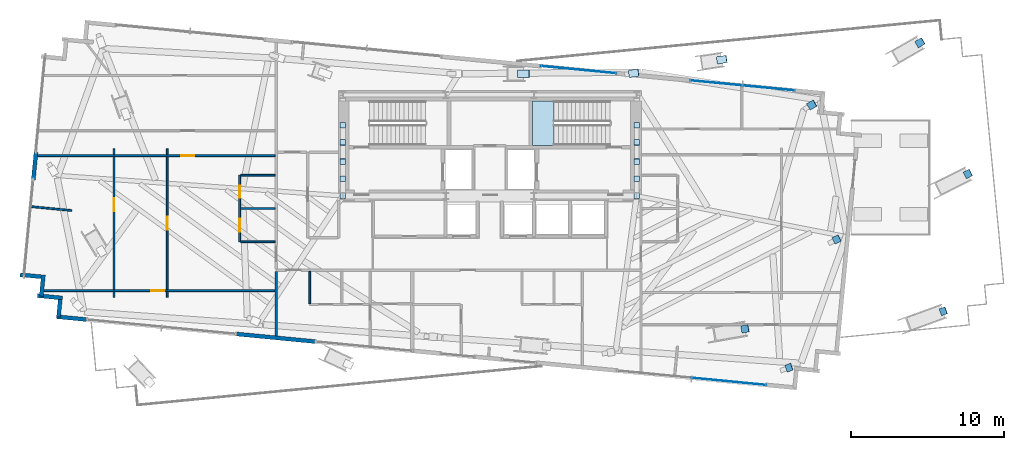
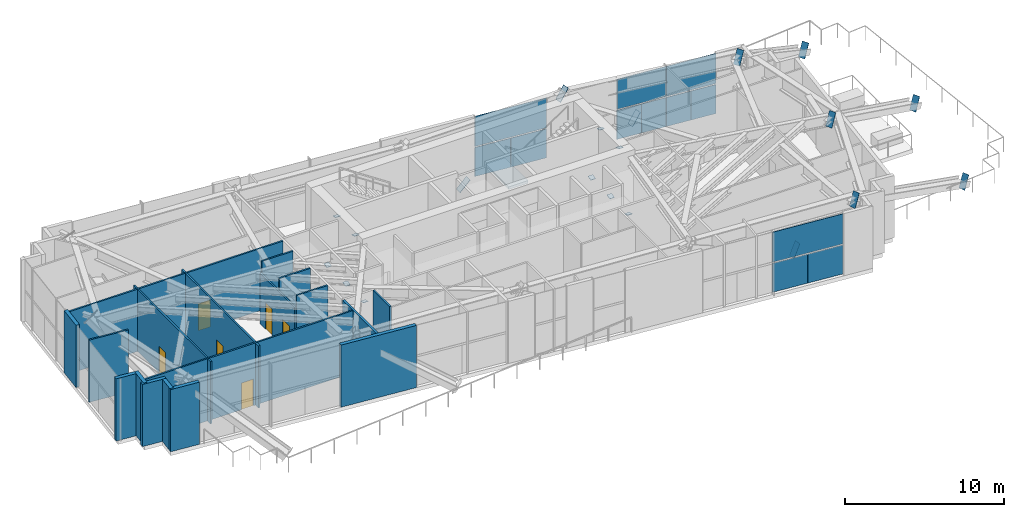
# One storey, part 16 of 23: 32 plates, 22 walls, 6 doors, 1 slab, 6 openings, 4 elements without a shape of their own.
"""IFC4 building model written with IfcOpenShell, lengths in metres."""

from ifc_helpers import new_model, si_unit, direction, frame, frame_2d, origin, origin_2d, place, context, subcontext, project, spatial, polyline, rectangle, outline, extrude, source, transform, mapped, material, layer, layer_set, type_object, type_shapes, element, fill, aggregate, save


model = new_model("IFC4")

# Units and contexts
model_context = context("Model", 3, precision=1e-05, world=origin(), true_north=direction((0.0, 1.0)))
body_context = subcontext(model_context, "Body", "Model", "MODEL_VIEW")
ifc_project = project(units=[si_unit("LENGTHUNIT", "METRE"), si_unit("AREAUNIT", "SQUARE_METRE"), si_unit("VOLUMEUNIT", "CUBIC_METRE"), si_unit("PLANEANGLEUNIT", "RADIAN"), si_unit("MASSUNIT", "GRAM", prefix="KILO")], contexts=[model_context])

# Site, building, storey
site_placement = place(None, origin())
site = spatial("IfcSite", under=ifc_project, at=site_placement, CompositionType="ELEMENT")
building_placement = place(site_placement, origin())
building = spatial("IfcBuilding", under=site, at=building_placement, Name="Astriad Promenade Condominiums", CompositionType="ELEMENT")
storey_placement = place(building_placement, frame((0.0, 0.0, 119.39990234375)))
storey = spatial("IfcBuildingStorey", under=building, at=storey_placement, Name="L34", CompositionType="ELEMENT", Elevation=119.39990234375)

# Stair, slab
ifc_material_1 = material(Name="Concrete C50/60", Category="concrete")
stair_type = type_object("IfcStairType", Name="STR-CORE-1350", PredefinedType="HALF_TURN_STAIR", material=ifc_material_1)
stair_placement = place(storey_placement, origin())
stair = element("IfcStair", 1, at=stair_placement, inside=storey, type_object=stair_type, Name="L34 Enclosed Core Exit Stair ST-2", PredefinedType="HALF_TURN_STAIR")
ifc_layer_1 = layer(ifc_material_1, 0.219970703125)
ifc_layer_set_1 = layer_set([ifc_layer_1], Name="Concrete C50/60")
slab_type = type_object("IfcSlabType", Name="SLB-LANDING-220", PredefinedType="LANDING", material=ifc_layer_set_1)
slab_placement = place(storey_placement, frame((0.0, 0.0, 2.400146484375)))
slab = element("IfcSlab", 2, at=slab_placement, type_object=slab_type, Name="ST-2 landing 1", PredefinedType="LANDING", context=body_context, shape_type="SweptSolid", body=[
    extrude(outline(polyline([(40.2099609375, 23.60009765625), (38.800048828125, 23.60009765625), (38.800048828125, 20.699951171875), (40.2099609375, 20.699951171875), (40.2099609375, 23.60009765625)])), origin(), (0.0, 0.0, 1.0), 0.199951171875),
])
aggregate(stair, [slab])

# Plates
ifc_material_2 = material(Name="Steel ASTM A572 Grade 50", Category="steel")
ifc_layer_2 = layer(ifc_material_2, 0.02490234375)
ifc_layer_set_2 = layer_set([ifc_layer_2], Name="Steel ASTM A572 Grade 50")
plate_type_1 = type_object("IfcPlateType", Name="STEEL HOLLOW SECTION END CAP PLATE 30", PredefinedType="USERDEFINED", material=ifc_layer_set_2)
shared_shape_1 = source(origin(), body_context, "Body", "SweptSolid", [
    extrude(rectangle(XDim=0.477294921875, YDim=1.05126953125, at=origin_2d()), origin(), (0.0, 0.0, 1.0), 0.02490234375),
])
for number, where, z_axis, x_axis, name in (
    (3, (52.6904296875, 8.707275390625, 0.197265625), (-0.883821109689, -0.154152960946, 0.441697985845), (0.171822537246, -0.985127918442, 0.0), "Hollow Section End Cap Plate COL-PC04-L34-A"),
    (4, (65.64990234375, 9.8583984375, 0.205322265625), (-0.870364931812, -0.317655916931, 0.376244074919), (0.342848201936, -0.939390818791, 0.0), "Hollow Section End Cap Plate COL-PC05-L34-A"),
    (5, (55.563232421875, 6.17724609375, 4.565673828125), (-0.870364931812, -0.317655916931, 0.376244074919), (0.342848201936, -0.939390818791, 0.0), "Hollow Section End Cap Plate COL-PC05-L34-B"),
    (6, (38.208251953125, 25.3798828125, 0.148193359375), (-0.703260758359, 4.7945e-05, 0.710931996363), (-6.8175281e-05, -0.999999997676, 0.0), "Hollow Section End Cap Plate COL-PC08-L34-A"),
    (7, (51.171630859375, 26.30078125, 0.171142578125), (-0.787174606133, -0.12082936002, 0.604777980102), (0.151720557632, -0.988423427683, 0.0), "Hollow Section End Cap Plate COL-PC09-L34-A"),
    (8, (45.4150390625, 25.417236328125, 4.593994140625), (-0.787174606133, -0.12082936002, 0.604777980102), (0.151720557632, -0.988423427683, 0.0), "Hollow Section End Cap Plate COL-PC09-L34-B"),
    (9, (64.122802734375, 27.41162109375, 0.193115234375), (-0.763781471751, -0.438963206857, 0.473232676846), (0.498290990769, -0.867009854914, 0.0), "Hollow Section End Cap Plate COL-PC10-L34-A"),
    (10, (57.0498046875, 23.346435546875, 4.575439453125), (-0.763781471751, -0.438963206857, 0.473232676846), (0.498290990769, -0.867009854914, 0.0), "Hollow Section End Cap Plate COL-PC10-L34-B"),
    (11, (67.254638671875, 18.842529296875, 0.20068359375), (-0.814029217901, -0.406824361951, 0.41454839395), (0.447046342584, -0.894510797913, 0.0), "Hollow Section End Cap Plate COL-PC12-L34-A"),
    (12, (58.676513671875, 14.555419921875, 4.569091796875), (-0.814029217901, -0.406824361951, 0.41454839395), (0.447046342584, -0.894510797913, 0.0), "Hollow Section End Cap Plate COL-PC12-L34-B"),
):
    element("IfcPlate", number, at=place(storey_placement, frame(where, z_axis=z_axis, x_axis=x_axis)), inside=storey, type_object=plate_type_1, Name=name, ObjectType="STIFFENER_PLATE", PredefinedType="USERDEFINED", context=body_context, shape_type="MappedRepresentation", body=[
        mapped(shared_shape_1, transform((0.0, 0.0, 0.0), scale=1.0)),
    ])
shared_shape_2 = source(origin(), body_context, "Body", "SweptSolid", [
    extrude(rectangle(XDim=0.35498046875, YDim=0.380615234375, at=origin_2d()), origin(), (0.0, 0.0, 1.0), 0.02490234375),
])
type_shapes(plate_type_1, [shared_shape_1, shared_shape_2])
for number, where, z_axis, x_axis, name in (
    (13, (26.39990234375, 17.400146484375, 0.14013671875), (0.0, 0.243962938919, 0.969784555679), (1.0, 0.0, 0.0), "Hollow Section End Cap Plate BRACE-TR-L34-01A-A"),
    (14, (26.39990234375, 18.515869140625, 4.575927734375), (0.0, 0.243962938919, 0.969784555679), (1.0, 0.0, 0.0), "Hollow Section End Cap Plate BRACE-TR-L34-01A-B"),
    (15, (26.39990234375, 19.643798828125, 0.14013671875), (0.0, -0.243962938919, 0.969784555679), (1.0, 0.0, 0.0), "Hollow Section End Cap Plate BRACE-TR-L34-01B-A"),
    (16, (26.39990234375, 20.89208984375, 4.575927734375), (0.0, 0.243962938919, 0.969784555679), (1.0, 0.0, 0.0), "Hollow Section End Cap Plate BRACE-TR-L34-02A-B"),
    (17, (26.39990234375, 22.019775390625, 0.14013671875), (0.0, -0.243962938919, 0.969784555679), (1.0, 0.0, 0.0), "Hollow Section End Cap Plate BRACE-TR-L34-02B-A"),
    (18, (45.60009765625, 17.400146484375, 0.14013671875), (0.0, 0.243962938919, 0.969784555679), (1.0, 0.0, 0.0), "Hollow Section End Cap Plate BRACE-TR-L34-03A-A"),
    (19, (45.60009765625, 18.515869140625, 4.575927734375), (0.0, 0.243962938919, 0.969784555679), (1.0, 0.0, 0.0), "Hollow Section End Cap Plate BRACE-TR-L34-03A-B"),
    (20, (45.60009765625, 19.643798828125, 0.14013671875), (0.0, -0.243962938919, 0.969784555679), (1.0, 0.0, 0.0), "Hollow Section End Cap Plate BRACE-TR-L34-03B-A"),
    (21, (45.60009765625, 20.89208984375, 4.575927734375), (0.0, 0.243962938919, 0.969784555679), (1.0, 0.0, 0.0), "Hollow Section End Cap Plate BRACE-TR-L34-04A-B"),
    (22, (45.60009765625, 22.019775390625, 0.14013671875), (0.0, -0.243962938919, 0.969784555679), (1.0, 0.0, 0.0), "Hollow Section End Cap Plate BRACE-TR-L34-04B-A"),
):
    element("IfcPlate", number, at=place(storey_placement, frame(where, z_axis=z_axis, x_axis=x_axis)), inside=storey, type_object=plate_type_1, Name=name, ObjectType="STIFFENER_PLATE", PredefinedType="USERDEFINED", context=body_context, shape_type="MappedRepresentation", body=[
        mapped(shared_shape_2, transform((0.0, 0.0, 0.0), scale=1.0)),
    ])

# Curtain wall, plates
ifc_material_3 = material(Name="Anodised aluminium Black Dark Glass Unitised", Category="aluminium")
curtain_wall_type = type_object("IfcCurtainWallType", Name="CW-B34-DARK", PredefinedType="USERDEFINED", material=ifc_material_3)
curtain_wall_1_placement = place(storey_placement, origin())
curtain_wall_1 = element("IfcCurtainWall", 23, at=curtain_wall_1_placement, inside=storey, type_object=curtain_wall_type, Name="CW-L34-N-3", ObjectType="UNITISED_CURTAIN_WALL", PredefinedType="USERDEFINED")
ifc_material_4 = material(Name="Dark Tinted Low-E Laminated Glass", Category="glass")
ifc_layer_3 = layer(ifc_material_4, 0.035888671875)
ifc_layer_set_3 = layer_set([ifc_layer_3], Name="Dark Tinted Low-E Laminated Glass")
plate_type_2 = type_object("IfcPlateType", Name="PNL-DARK-GLASS-36", PredefinedType="CURTAIN_PANEL", material=ifc_layer_set_3)
shared_shape_3 = source(origin(), body_context, "Body", "SweptSolid", [
    extrude(rectangle(XDim=2.47802734375, YDim=0.035888671875, at=origin_2d()), origin(), (0.0, 0.0, 1.0), 2.22998046875),
])
plate_1_placement = place(storey_placement, frame((40.55029296875, 25.768310546875, 0.080078125), z_axis=(0.0, 0.0, 1.0), x_axis=(0.995394525392, -0.095863125447, 0.0)))
plate_1 = element("IfcPlate", 24, at=plate_1_placement, type_object=plate_type_2, Name="CW-L34-N-3-PNL-00-VL", PredefinedType="CURTAIN_PANEL", context=body_context, shape_type="MappedRepresentation", body=[
    mapped(shared_shape_3, transform((0.0, 0.0, 0.0), scale=1.0)),
])
plate_2_placement = place(storey_placement, frame((43.02880859375, 25.52978515625, 0.080078125), z_axis=(0.0, 0.0, 1.0), x_axis=(0.995394525392, -0.095863125447, 0.0)))
plate_2 = element("IfcPlate", 25, at=plate_2_placement, type_object=plate_type_2, Name="CW-L34-N-3-PNL-00-VR", PredefinedType="CURTAIN_PANEL", context=body_context, shape_type="MappedRepresentation", body=[
    mapped(shared_shape_3, transform((0.0, 0.0, 0.0), scale=1.0)),
])

curtain_wall_2_placement = place(storey_placement, origin())
curtain_wall_2 = element("IfcCurtainWall", 26, at=curtain_wall_2_placement, inside=storey, type_object=curtain_wall_type, Name="CW-L34-S-1", ObjectType="UNITISED_CURTAIN_WALL", PredefinedType="USERDEFINED")
shared_shape_4 = source(origin(), body_context, "Body", "SweptSolid", [
    extrude(rectangle(XDim=2.43798828125, YDim=0.035888671875, at=origin_2d()), origin(), (0.0, 0.0, 1.0), 2.22998046875),
])
plate_3_placement = place(storey_placement, frame((52.85107421875, 5.154541015625, 0.080078125), z_axis=(0.0, 0.0, 1.0), x_axis=(-0.995396198367, 0.09584575252, 0.0)))
plate_3 = element("IfcPlate", 27, at=plate_3_placement, type_object=plate_type_2, Name="CW-L34-S-1-PNL-00-VL", PredefinedType="CURTAIN_PANEL", context=body_context, shape_type="MappedRepresentation", body=[
    mapped(shared_shape_4, transform((0.0, 0.0, 0.0), scale=1.0)),
])
plate_4_placement = place(storey_placement, frame((50.412353515625, 5.389404296875, 0.080078125), z_axis=(0.0, 0.0, 1.0), x_axis=(-0.995396198367, 0.09584575252, 0.0)))
plate_4 = element("IfcPlate", 28, at=plate_4_placement, type_object=plate_type_2, Name="CW-L34-S-1-PNL-00-VR", PredefinedType="CURTAIN_PANEL", context=body_context, shape_type="MappedRepresentation", body=[
    mapped(shared_shape_4, transform((0.0, 0.0, 0.0), scale=1.0)),
])
shared_shape_5 = source(origin(), body_context, "Body", "SweptSolid", [
    extrude(rectangle(XDim=4.887939453125, YDim=0.035888671875, at=origin_2d()), origin(), (0.0, 0.0, 1.0), 2.31005859375),
])
plate_5_placement = place(storey_placement, frame((51.631591796875, 5.272216796875, 2.39013671875), z_axis=(0.0, 0.0, 1.0), x_axis=(-0.995396198367, 0.09584575252, 0.0)))
plate_5 = element("IfcPlate", 29, at=plate_5_placement, type_object=plate_type_2, Name="CW-L34-S-1-PNL-00-S", PredefinedType="CURTAIN_PANEL", context=body_context, shape_type="MappedRepresentation", body=[
    mapped(shared_shape_5, transform((0.0, 0.0, 0.0), scale=1.0)),
])
aggregate(curtain_wall_2, [plate_3, plate_4, plate_5])

# Plate
shared_shape_6 = source(origin(), body_context, "Body", "SweptSolid", [
    extrude(rectangle(XDim=4.968017578125, YDim=0.035888671875, at=origin_2d()), origin(), (0.0, 0.0, 1.0), 2.31005859375),
])
plate_6_placement = place(storey_placement, frame((41.78955078125, 25.649169921875, 2.39013671875), z_axis=(0.0, 0.0, 1.0), x_axis=(0.995394525392, -0.095863125447, 0.0)))
plate_6 = element("IfcPlate", 30, at=plate_6_placement, type_object=plate_type_2, Name="CW-L34-N-3-PNL-00-S", PredefinedType="CURTAIN_PANEL", context=body_context, shape_type="MappedRepresentation", body=[
    mapped(shared_shape_6, transform((0.0, 0.0, 0.0), scale=1.0)),
])

aggregate(curtain_wall_1, [plate_1, plate_2, plate_6])

# Curtain wall, plates
curtain_wall_3_placement = place(storey_placement, origin())
curtain_wall_3 = element("IfcCurtainWall", 31, at=curtain_wall_3_placement, inside=storey, type_object=curtain_wall_type, Name="CW-L34-N-4", ObjectType="UNITISED_CURTAIN_WALL", PredefinedType="USERDEFINED")
shared_shape_7 = source(origin(), body_context, "Body", "SweptSolid", [
    extrude(rectangle(XDim=1.702880859375, YDim=0.035888671875, at=origin_2d()), origin(), (0.0, 0.0, 1.0), 2.22998046875),
])
plate_7_placement = place(storey_placement, frame((49.94921875, 24.86328125, 0.080078125), z_axis=(0.0, 0.0, 1.0), x_axis=(0.995396198367, -0.09584575252, 0.0)))
plate_7 = element("IfcPlate", 32, at=plate_7_placement, type_object=plate_type_2, Name="CW-L34-N-4-PNL-00-VL", PredefinedType="CURTAIN_PANEL", context=body_context, shape_type="MappedRepresentation", body=[
    mapped(shared_shape_7, transform((0.0, 0.0, 0.0), scale=1.0)),
])
plate_8_placement = place(storey_placement, frame((51.656494140625, 24.698974609375, 0.080078125), z_axis=(0.0, 0.0, 1.0), x_axis=(0.995396198367, -0.09584575252, 0.0)))
plate_8 = element("IfcPlate", 33, at=plate_8_placement, type_object=plate_type_2, Name="CW-L34-N-4-PNL-00-VR", PredefinedType="CURTAIN_PANEL", context=body_context, shape_type="MappedRepresentation", body=[
    mapped(shared_shape_7, transform((0.0, 0.0, 0.0), scale=1.0)),
])
plate_9_placement = place(storey_placement, frame((53.363525390625, 24.53466796875, 0.080078125), z_axis=(0.0, 0.0, 1.0), x_axis=(0.995396198367, -0.09584575252, 0.0)))
plate_9 = element("IfcPlate", 34, at=plate_9_placement, type_object=plate_type_2, Name="CW-L34-N-4-PNL-01-VL", PredefinedType="CURTAIN_PANEL", context=body_context, shape_type="MappedRepresentation", body=[
    mapped(shared_shape_7, transform((0.0, 0.0, 0.0), scale=1.0)),
])
plate_10_placement = place(storey_placement, frame((55.07080078125, 24.370361328125, 0.080078125), z_axis=(0.0, 0.0, 1.0), x_axis=(0.995396198367, -0.09584575252, 0.0)))
plate_10 = element("IfcPlate", 35, at=plate_10_placement, type_object=plate_type_2, Name="CW-L34-N-4-PNL-01-VR", PredefinedType="CURTAIN_PANEL", context=body_context, shape_type="MappedRepresentation", body=[
    mapped(shared_shape_7, transform((0.0, 0.0, 0.0), scale=1.0)),
])
shared_shape_8 = source(origin(), body_context, "Body", "SweptSolid", [
    extrude(rectangle(XDim=3.41796875, YDim=0.035888671875, at=origin_2d()), origin(), (0.0, 0.0, 1.0), 2.31005859375),
])
type_shapes(plate_type_2, [shared_shape_3, shared_shape_4, shared_shape_5, shared_shape_6, shared_shape_7, shared_shape_8])
plate_11_placement = place(storey_placement, frame((50.802734375, 24.78125, 2.39013671875), z_axis=(0.0, 0.0, 1.0), x_axis=(0.995396198367, -0.09584575252, 0.0)))
plate_11 = element("IfcPlate", 36, at=plate_11_placement, type_object=plate_type_2, Name="CW-L34-N-4-PNL-00-S", PredefinedType="CURTAIN_PANEL", context=body_context, shape_type="MappedRepresentation", body=[
    mapped(shared_shape_8, transform((0.0, 0.0, 0.0), scale=1.0)),
])
plate_12_placement = place(storey_placement, frame((54.217041015625, 24.452392578125, 2.39013671875), z_axis=(0.0, 0.0, 1.0), x_axis=(0.995396198367, -0.09584575252, 0.0)))
plate_12 = element("IfcPlate", 37, at=plate_12_placement, type_object=plate_type_2, Name="CW-L34-N-4-PNL-01-S", PredefinedType="CURTAIN_PANEL", context=body_context, shape_type="MappedRepresentation", body=[
    mapped(shared_shape_8, transform((0.0, 0.0, 0.0), scale=1.0)),
])
aggregate(curtain_wall_3, [plate_7, plate_8, plate_11, plate_9, plate_10, plate_12])

# Walls
ifc_material_5 = material(Name="Fire-Rated Gypsum Partition")
ifc_layer_4 = layer(ifc_material_5, 0.159912109375)
ifc_layer_set_4 = layer_set([ifc_layer_4], Name="Fire-Rated Gypsum Partition")
wall_type_1 = type_object("IfcWallType", Name="WALL-CORR-160", PredefinedType="PARTITIONING", material=ifc_layer_set_4)
wall_1_placement = place(storey_placement, frame((22.050048828125, 8.2529296875, 0.0), z_axis=(0.0, 0.0, 1.0), x_axis=(0.0, 1.0, 0.0)))
element("IfcWall", 38, at=wall_1_placement, inside=storey, type_object=wall_type_1, Name="PT-COR-W-L34", PredefinedType="PARTITIONING", context=body_context, shape_type="SweptSolid", body=[
    extrude(rectangle(XDim=4.215087890625, YDim=0.159912109375, at=frame_2d((2.107421875, 0.0))), origin(), (0.0, 0.0, 1.0), 4.780029296875),
])
ifc_material_6 = material(Name="Precast concrete C50/60", Category="concrete")
ifc_layer_5 = layer(ifc_material_6, 0.260009765625)
ifc_layer_set_5 = layer_set([ifc_layer_5], Name="Precast concrete C50/60")
wall_type_2 = type_object("IfcWallType", Name="WALL-EXT-TWR-260", PredefinedType="STANDARD", material=ifc_layer_set_5)
wall_2_placement = place(storey_placement, frame((8.063720703125, 10.722900390625, 0.0), z_axis=(0.0, 0.0, 1.0), x_axis=(-0.995394563142, 0.095862733462, 0.0)))
element("IfcWall", 39, at=wall_2_placement, inside=storey, type_object=wall_type_2, Name="W-SER-L34-00", PredefinedType="STANDARD", context=body_context, shape_type="SweptSolid", body=[
    extrude(rectangle(XDim=1.64013671875, YDim=0.260009765625, at=frame_2d((0.820068359375, 0.0))), origin(), (0.0, 0.0, 1.0), 4.780029296875),
])
wall_3_placement = place(storey_placement, frame((6.6884765625, 10.840087890625, 0.0), z_axis=(0.0, 0.0, 1.0), x_axis=(0.09589913835, 0.995391056452, 0.0)))
element("IfcWall", 40, at=wall_3_placement, inside=storey, type_object=wall_type_2, Name="W-SER-L34-01", PredefinedType="STANDARD", context=body_context, shape_type="SweptSolid", body=[
    extrude(rectangle(XDim=1.39501953125, YDim=0.260009765625, at=frame_2d((0.697509765625, 0.0))), origin(), (0.0, 0.0, 1.0), 4.780029296875),
])
wall_4_placement = place(storey_placement, frame((6.6953125, 12.110595703125, 0.0), z_axis=(0.0, 0.0, 1.0), x_axis=(-0.99540614245, 0.095742423056, 0.0)))
element("IfcWall", 41, at=wall_4_placement, inside=storey, type_object=wall_type_2, Name="W-SER-L34-02", PredefinedType="STANDARD", context=body_context, shape_type="SweptSolid", body=[
    extrude(rectangle(XDim=1.394775390625, YDim=0.260009765625, at=frame_2d((0.697265625, 0.0))), origin(), (0.0, 0.0, 1.0), 4.780029296875),
])
wall_5_placement = place(storey_placement, frame((6.16650390625, 18.460205078125, 0.0), z_axis=(0.0, 0.0, 1.0), x_axis=(0.09589072759, 0.995391866735, 0.0)))
element("IfcWall", 42, at=wall_5_placement, inside=storey, type_object=wall_type_2, Name="W-SGCOL-L34-W-1", PredefinedType="STANDARD", context=body_context, shape_type="SweptSolid", body=[
    extrude(rectangle(XDim=1.800048828125, YDim=0.260009765625, at=frame_2d((0.89990234375, 0.0))), origin(), (0.0, 0.0, 1.0), 4.780029296875),
])
wall_6_placement = place(storey_placement, frame((24.626708984375, 7.872314453125, 0.0), z_axis=(0.0, 0.0, 1.0), x_axis=(-0.995397625271, 0.095830932396, 0.0)))
element("IfcWall", 43, at=wall_6_placement, inside=storey, type_object=wall_type_2, Name="W-SGCOL-L34-S-5", PredefinedType="STANDARD", context=body_context, shape_type="SweptSolid", body=[
    extrude(rectangle(XDim=5.219970703125, YDim=0.260009765625, at=frame_2d((2.60986328125, 0.0))), origin(), (0.0, 0.0, 1.0), 4.780029296875),
])
wall_7_placement = place(storey_placement, frame((9.67578125, 9.31201171875, 0.0), z_axis=(0.0, 0.0, 1.0), x_axis=(-0.995397839199, 0.095828710298, 0.0)))
element("IfcWall", 44, at=wall_7_placement, inside=storey, type_object=wall_type_2, Name="W-SGCOL-L34-S-6", PredefinedType="STANDARD", context=body_context, shape_type="SweptSolid", body=[
    extrude(rectangle(XDim=2.0, YDim=0.260009765625, at=frame_2d((1.0, 0.0))), origin(), (0.0, 0.0, 1.0), 4.780029296875),
])
wall_8_placement = place(storey_placement, frame((7.81298828125, 9.476318359375, 0.0), z_axis=(0.0, 0.0, 1.0), x_axis=(0.09576095695, 0.995404359607, 0.0)))
element("IfcWall", 45, at=wall_8_placement, inside=storey, type_object=wall_type_2, Name="W-SER-L34-19", PredefinedType="STANDARD", context=body_context, shape_type="SweptSolid", body=[
    extrude(rectangle(XDim=1.14990234375, YDim=0.260009765625, at=frame_2d((0.574951171875, 0.0))), origin(), (0.0, 0.0, 1.0), 4.780029296875),
])
ifc_material_7 = material(Name="Acoustic Metal-Stud Gypsum Partition")
ifc_layer_6 = layer(ifc_material_7, 0.1201171875)
ifc_layer_set_6 = layer_set([ifc_layer_6], Name="Acoustic Metal-Stud Gypsum Partition")
wall_type_3 = type_object("IfcWallType", Name="WALL-PART-120", PredefinedType="PARTITIONING", material=ifc_layer_set_6)
wall_9_placement = place(storey_placement, frame((24.22998046875, 10.362060546875, 0.0), z_axis=(0.0, 0.0, 1.0), x_axis=(0.0, 1.0, 0.0)))
element("IfcWall", 46, at=wall_9_placement, inside=storey, type_object=wall_type_3, Name="PT-L34-S1-PKW", PredefinedType="PARTITIONING", context=body_context, shape_type="SweptSolid", body=[
    extrude(rectangle(XDim=2.10595703125, YDim=0.1201171875, at=frame_2d((1.052978515625, 0.0))), origin(), (0.0, 0.0, 1.0), 4.780029296875),
])

# Wall, openings, doors
wall_10_placement = place(storey_placement, frame((19.64990234375, 14.39990234375, 0.0), z_axis=(0.0, 0.0, 1.0), x_axis=(0.0, 1.0, 0.0)))
wall_10 = element("IfcWall", 47, at=wall_10_placement, inside=storey, type_object=wall_type_3, Name="PT-L34-W1-PV", PredefinedType="PARTITIONING", context=body_context, shape_type="SweptSolid", body=[
    extrude(rectangle(XDim=4.35009765625, YDim=0.1201171875, at=frame_2d((2.175048828125, 0.0))), origin(), (0.0, 0.0, 1.0), 3.885009765625),
])
opening_1_placement = place(wall_10_placement, frame((0.6630859375, 0.0, 0.0)))
opening_1 = element("IfcOpeningElement", 48, at=opening_1_placement, cuts=wall_10, Name="Opening D-INT-085", PredefinedType="OPENING", context=body_context, shape_type="SweptSolid", body=[
    extrude(rectangle(XDim=0.85009765625, YDim=2.050048828125, at=frame_2d((0.425048828125, 1.02490234375))), frame((0.0, 0.070068359375, 0.0), z_axis=(0.0, -1.0, 0.0), x_axis=(1.0, 0.0, 0.0)), (0.0, 0.0, 1.0), 0.14013671875),
])
opening_2_placement = place(wall_10_placement, frame((2.863037109375, 0.0, 0.0)))
opening_2 = element("IfcOpeningElement", 49, at=opening_2_placement, cuts=wall_10, Name="Opening D-WET-080", PredefinedType="OPENING", context=body_context, shape_type="SweptSolid", body=[
    extrude(rectangle(XDim=0.800048828125, YDim=2.02001953125, at=frame_2d((0.39990234375, 1.010009765625))), frame((0.0, 0.070068359375, 0.0), z_axis=(0.0, -1.0, 0.0), x_axis=(1.0, 0.0, 0.0)), (0.0, 0.0, 1.0), 0.14013671875),
])
ifc_material_8 = material(Name="Moisture-Resistant Timber Bathroom Door", Category="wood")
door_type_1 = type_object("IfcDoorType", Name="D-WET-080", OperationType="NOTDEFINED", PredefinedType="DOOR", material=ifc_material_8)
shared_shape_9 = source(origin(), body_context, "Body", "SweptSolid", [
    extrude(rectangle(XDim=0.800048828125, YDim=2.02001953125, at=frame_2d((0.39990234375, 1.010009765625))), frame((0.0, 0.02490234375, 0.0), z_axis=(0.0, -1.0, 0.0), x_axis=(1.0, 0.0, 0.0)), (0.0, 0.0, 1.0), 0.050048828125),
])
type_shapes(door_type_1, [shared_shape_9])
door_1_placement = place(opening_2_placement, origin())
door_1 = element("IfcDoor", 50, at=door_1_placement, inside=storey, type_object=door_type_1, Name="D-BTH-L34-W1", OperationType="SINGLE_SWING_RIGHT", OverallHeight=2.02001953125, OverallWidth=0.800048828125, PredefinedType="DOOR", context=body_context, shape_type="MappedRepresentation", body=[
    mapped(shared_shape_9, transform((0.0, 0.0, 0.0), scale=1.0)),
])
fill(opening_2, door_1)
ifc_material_9 = material(Name="Painted Solid-Core Timber Room Door", Category="wood")
door_type_2 = type_object("IfcDoorType", Name="D-INT-085", OperationType="NOTDEFINED", PredefinedType="DOOR", material=ifc_material_9)
shared_shape_10 = source(origin(), body_context, "Body", "SweptSolid", [
    extrude(rectangle(XDim=0.85009765625, YDim=2.050048828125, at=frame_2d((0.425048828125, 1.02490234375))), frame((0.0, 0.02490234375, 0.0), z_axis=(0.0, -1.0, 0.0), x_axis=(1.0, 0.0, 0.0)), (0.0, 0.0, 1.0), 0.050048828125),
])
type_shapes(door_type_2, [shared_shape_10])
door_2_placement = place(opening_1_placement, origin())
door_2 = element("IfcDoor", 51, at=door_2_placement, inside=storey, type_object=door_type_2, Name="D-KIT-L34-W1", OperationType="SINGLE_SWING_LEFT", OverallHeight=2.050048828125, OverallWidth=0.85009765625, PredefinedType="DOOR", context=body_context, shape_type="MappedRepresentation", body=[
    mapped(shared_shape_10, transform((0.0, 0.0, 0.0), scale=1.0)),
])
fill(opening_1, door_2)

# Walls
for number, where, z_axis, x_axis, name in (
    (52, (19.7119140625, 16.574951171875, 0.0), (0.0, 0.0, 1.0), (1.0, 0.0, 0.0), "PT-L34-W1-PM"),
    (53, (19.7119140625, 14.39990234375, 0.0), (0.0, 0.0, 1.0), (1.0, 0.0, 0.0), "PT-L34-W1-PS"),
    (54, (19.7119140625, 18.75, 0.0), (0.0, 0.0, 1.0), (1.0, 0.0, 0.0), "PT-L34-W1-PN"),
):
    element("IfcWall", number, at=place(storey_placement, frame(where, z_axis=z_axis, x_axis=x_axis)), inside=storey, type_object=wall_type_3, Name=name, PredefinedType="PARTITIONING", context=body_context, shape_type="SweptSolid", body=[
        extrude(rectangle(XDim=2.256103515625, YDim=0.1201171875, at=frame_2d((1.1279296875, 0.0))), origin(), (0.0, 0.0, 1.0), 4.780029296875),
    ])

# Wall, opening, door
wall_11_placement = place(storey_placement, frame((6.856689453125, 11.2080078125, 0.0), z_axis=(0.0, 0.0, 1.0), x_axis=(1.0, 0.0, 0.0)))
wall_11 = element("IfcWall", 55, at=wall_11_placement, inside=storey, type_object=wall_type_3, Name="PT-L34-W1-B2", PredefinedType="PARTITIONING", context=body_context, shape_type="SweptSolid", body=[
    extrude(rectangle(XDim=15.111328125, YDim=0.1201171875, at=frame_2d((7.5556640625, 0.0))), origin(), (0.0, 0.0, 1.0), 4.780029296875),
])
opening_3_placement = place(wall_11_placement, frame((7.010498046875, 0.0, 0.0)))
opening_3 = element("IfcOpeningElement", 56, at=opening_3_placement, cuts=wall_11, Name="Opening D-INT-085", PredefinedType="OPENING", context=body_context, shape_type="SweptSolid", body=[
    extrude(rectangle(XDim=0.85009765625, YDim=2.050048828125, at=frame_2d((0.425048828125, 1.02490234375))), frame((0.0, 0.070068359375, 0.0), z_axis=(0.0, -1.0, 0.0), x_axis=(1.0, 0.0, 0.0)), (0.0, 0.0, 1.0), 0.14013671875),
])
door_3_placement = place(opening_3_placement, origin())
door_3 = element("IfcDoor", 57, at=door_3_placement, inside=storey, type_object=door_type_2, Name="D-BD2-L34-W1", OperationType="SINGLE_SWING_RIGHT", OverallHeight=2.050048828125, OverallWidth=0.85009765625, PredefinedType="DOOR", context=body_context, shape_type="MappedRepresentation", body=[
    mapped(shared_shape_10, transform((0.0, 0.0, 0.0), scale=1.0)),
])
fill(opening_3, door_3)

wall_12_placement = place(storey_placement, frame((6.450439453125, 20.031005859375, 0.0), z_axis=(0.0, 0.0, 1.0), x_axis=(1.0, 0.0, 0.0)))
wall_12 = element("IfcWall", 58, at=wall_12_placement, inside=storey, type_object=wall_type_3, Name="PT-L34-W1-WDN2", PredefinedType="PARTITIONING", context=body_context, shape_type="SweptSolid", body=[
    extrude(rectangle(XDim=15.517578125, YDim=0.1201171875, at=frame_2d((7.7587890625, 0.0))), origin(), (0.0, 0.0, 1.0), 4.780029296875),
])
opening_4_placement = place(wall_12_placement, frame((9.3955078125, 0.0, 0.0)))
opening_4 = element("IfcOpeningElement", 59, at=opening_4_placement, cuts=wall_12, Name="Opening D-INT-085", PredefinedType="OPENING", context=body_context, shape_type="SweptSolid", body=[
    extrude(rectangle(XDim=0.85009765625, YDim=2.050048828125, at=frame_2d((0.425048828125, 1.02490234375))), frame((0.0, 0.070068359375, 0.0), z_axis=(0.0, -1.0, 0.0), x_axis=(1.0, 0.0, 0.0)), (0.0, 0.0, 1.0), 0.14013671875),
])
door_4_placement = place(opening_4_placement, origin())
door_4 = element("IfcDoor", 60, at=door_4_placement, inside=storey, type_object=door_type_2, Name="D-WDN2-L34-W1", OperationType="SINGLE_SWING_RIGHT", OverallHeight=2.050048828125, OverallWidth=0.85009765625, PredefinedType="DOOR", context=body_context, shape_type="MappedRepresentation", body=[
    mapped(shared_shape_10, transform((0.0, 0.0, 0.0), scale=1.0)),
])
fill(opening_4, door_4)

# Wall
wall_13_placement = place(storey_placement, frame((11.43701171875, 10.76806640625, 0.0), z_axis=(0.0, 0.0, 1.0), x_axis=(0.0, 1.0, 0.0)))
element("IfcWall", 61, at=wall_13_placement, inside=storey, type_object=wall_type_3, Name="PT-L34-W1-WDV3", PredefinedType="PARTITIONING", context=body_context, shape_type="SweptSolid", body=[
    extrude(rectangle(XDim=0.3779296875, YDim=0.1201171875, at=frame_2d((0.18896484375, 0.0))), origin(), (0.0, 0.0, 1.0), 4.780029296875),
])

# Wall, opening, door
wall_14_placement = place(storey_placement, frame((11.43701171875, 11.27001953125, 0.0), z_axis=(0.0, 0.0, 1.0), x_axis=(0.0, 1.0, 0.0)))
wall_14 = element("IfcWall", 62, at=wall_14_placement, inside=storey, type_object=wall_type_3, Name="PT-L34-W1-WDV3-S2", PredefinedType="PARTITIONING", context=body_context, shape_type="SweptSolid", body=[
    extrude(rectangle(XDim=8.698974609375, YDim=0.1201171875, at=frame_2d((4.349609375, 0.0))), origin(), (0.0, 0.0, 1.0), 4.780029296875),
])
opening_5_placement = place(wall_14_placement, frame((5.139892578125, 0.0, 0.0)))
opening_5 = element("IfcOpeningElement", 63, at=opening_5_placement, cuts=wall_14, Name="Opening D-INT-085", PredefinedType="OPENING", context=body_context, shape_type="SweptSolid", body=[
    extrude(rectangle(XDim=0.85009765625, YDim=2.050048828125, at=frame_2d((0.425048828125, 1.02490234375))), frame((0.0, 0.070068359375, 0.0), z_axis=(0.0, -1.0, 0.0), x_axis=(1.0, 0.0, 0.0)), (0.0, 0.0, 1.0), 0.14013671875),
])
door_5_placement = place(opening_5_placement, origin())
door_5 = element("IfcDoor", 64, at=door_5_placement, inside=storey, type_object=door_type_2, Name="D-WDV3-L34-W1", OperationType="SINGLE_SWING_LEFT", OverallHeight=2.050048828125, OverallWidth=0.85009765625, PredefinedType="DOOR", context=body_context, shape_type="MappedRepresentation", body=[
    mapped(shared_shape_10, transform((0.0, 0.0, 0.0), scale=1.0)),
])
fill(opening_5, door_5)

# Walls
for number, where, z_axis, x_axis, name in (
    (65, (11.43701171875, 20.093017578125, 0.0), (0.0, 0.0, 1.0), (0.0, 1.0, 0.0), "PT-L34-W1-WDV3-S3"),
    (66, (14.9208984375, 10.76806640625, 0.0), (0.0, 0.0, 1.0), (0.0, 1.0, 0.0), "PT-L34-W1-WDV4"),
):
    element("IfcWall", number, at=place(storey_placement, frame(where, z_axis=z_axis, x_axis=x_axis)), inside=storey, type_object=wall_type_3, Name=name, PredefinedType="PARTITIONING", context=body_context, shape_type="SweptSolid", body=[
        extrude(rectangle(XDim=0.3779296875, YDim=0.1201171875, at=frame_2d((0.18896484375, 0.0))), origin(), (0.0, 0.0, 1.0), 4.780029296875),
    ])

# Wall, opening, door
wall_15_placement = place(storey_placement, frame((14.9208984375, 11.27001953125, 0.0), z_axis=(0.0, 0.0, 1.0), x_axis=(0.0, 1.0, 0.0)))
wall_15 = element("IfcWall", 67, at=wall_15_placement, inside=storey, type_object=wall_type_3, Name="PT-L34-W1-WDV4-S2", PredefinedType="PARTITIONING", context=body_context, shape_type="SweptSolid", body=[
    extrude(rectangle(XDim=8.698974609375, YDim=0.1201171875, at=frame_2d((4.349609375, 0.0))), origin(), (0.0, 0.0, 1.0), 4.780029296875),
])
opening_6_placement = place(wall_15_placement, frame((3.924072265625, 0.0, 0.0)))
opening_6 = element("IfcOpeningElement", 68, at=opening_6_placement, cuts=wall_15, Name="Opening D-INT-085", PredefinedType="OPENING", context=body_context, shape_type="SweptSolid", body=[
    extrude(rectangle(XDim=0.85009765625, YDim=2.050048828125, at=frame_2d((0.425048828125, 1.02490234375))), frame((0.0, 0.070068359375, 0.0), z_axis=(0.0, -1.0, 0.0), x_axis=(1.0, 0.0, 0.0)), (0.0, 0.0, 1.0), 0.14013671875),
])
door_6_placement = place(opening_6_placement, origin())
door_6 = element("IfcDoor", 69, at=door_6_placement, inside=storey, type_object=door_type_2, Name="D-WDV4-L34-W1", OperationType="SINGLE_SWING_RIGHT", OverallHeight=2.050048828125, OverallWidth=0.85009765625, PredefinedType="DOOR", context=body_context, shape_type="MappedRepresentation", body=[
    mapped(shared_shape_10, transform((0.0, 0.0, 0.0), scale=1.0)),
])
fill(opening_6, door_6)

# Walls
wall_16_placement = place(storey_placement, frame((14.9208984375, 20.093017578125, 0.0), z_axis=(0.0, 0.0, 1.0), x_axis=(0.0, 1.0, 0.0)))
element("IfcWall", 70, at=wall_16_placement, inside=storey, type_object=wall_type_3, Name="PT-L34-W1-WDV4-S3", PredefinedType="PARTITIONING", context=body_context, shape_type="SweptSolid", body=[
    extrude(rectangle(XDim=0.3779296875, YDim=0.1201171875, at=frame_2d((0.18896484375, 0.0))), origin(), (0.0, 0.0, 1.0), 4.780029296875),
])
wall_17_placement = place(storey_placement, frame((8.66650390625, 16.442626953125, 0.0), z_axis=(0.0, 0.0, 1.0), x_axis=(-0.995391656355, 0.095892911409, 0.0)))
element("IfcWall", 71, at=wall_17_placement, inside=storey, type_object=wall_type_3, Name="PT-PIL-L34-PC11-18", PredefinedType="PARTITIONING", context=body_context, shape_type="SweptSolid", body=[
    extrude(rectangle(XDim=2.73193359375, YDim=0.1201171875, at=frame_2d((1.365966796875, 0.0))), origin(), (0.0, 0.0, 1.0), 4.780029296875),
])

save(model, "model.ifc")
